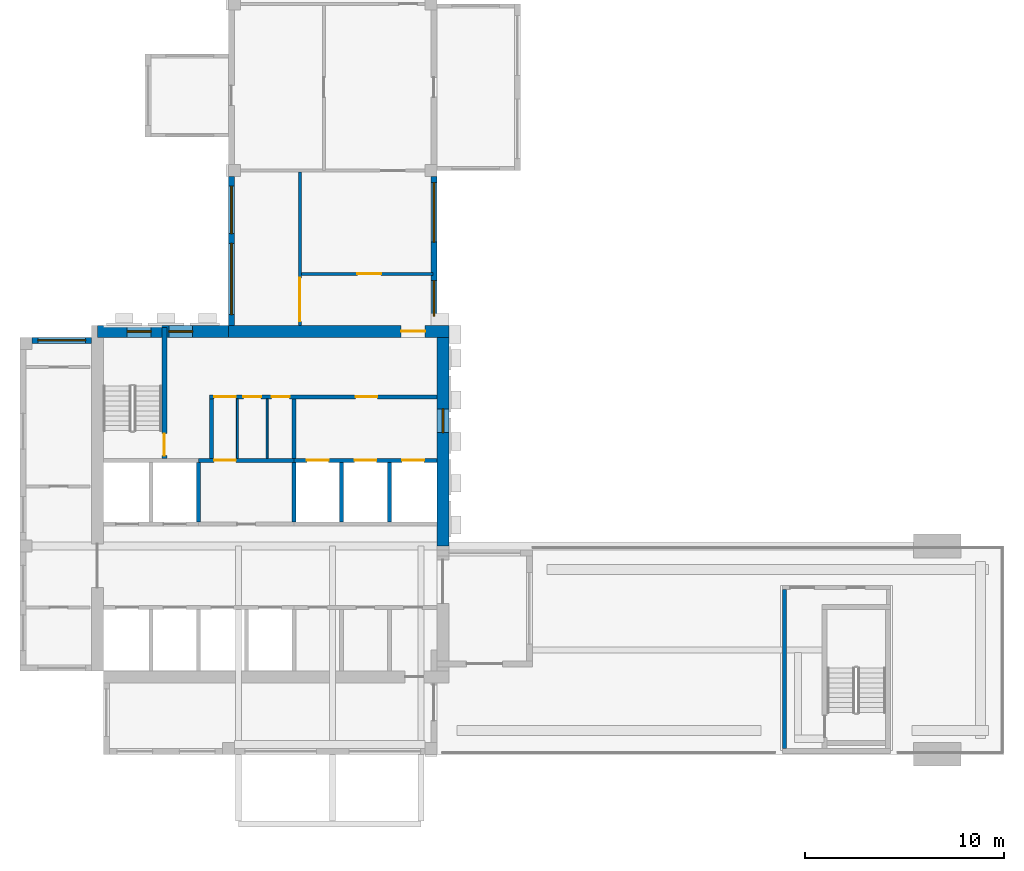
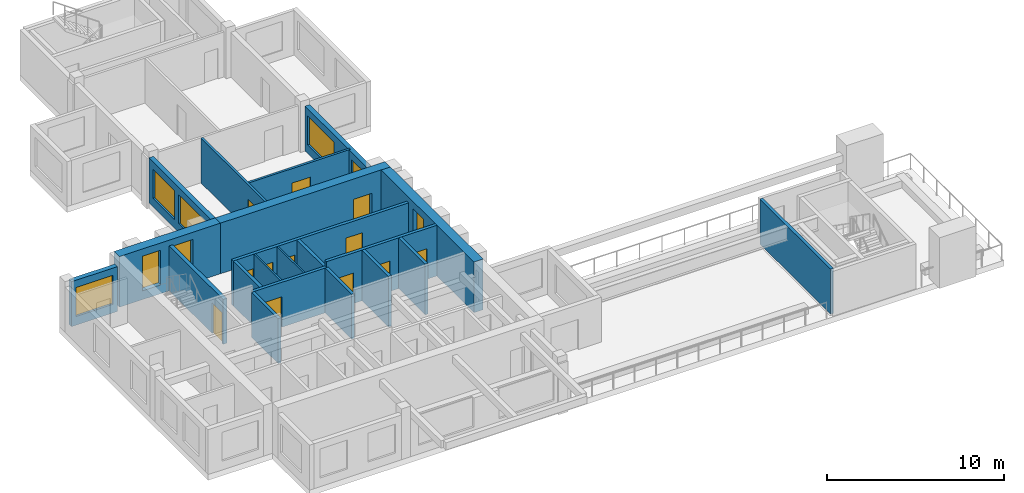
# One storey, part 3 of 9: 21 walls, 12 doors, 8 windows, 20 openings.
"""IFC4 building model written with IfcOpenShell, lengths in metres."""

from ifc_helpers import new_model, si_unit, direction, frame, frame_2d, origin, place, context, subcontext, project, spatial, rectangle, extrude, source, transform, mapped, material, layer, layer_set, type_object, element, fill, save


model = new_model("IFC4")

# Units and contexts
model_context = context("Model", 3, precision=1e-05, world=origin(), true_north=direction((0.0, 1.0)))
body_context = subcontext(model_context, "Body", "Model", "MODEL_VIEW")
ifc_project = project(units=[si_unit("LENGTHUNIT", "METRE"), si_unit("AREAUNIT", "SQUARE_METRE"), si_unit("VOLUMEUNIT", "CUBIC_METRE"), si_unit("PLANEANGLEUNIT", "RADIAN"), si_unit("MASSUNIT", "GRAM", prefix="KILO")], contexts=[model_context])

# Site, building, storey
site_placement = place(None, origin())
site = spatial("IfcSite", under=ifc_project, at=site_placement, CompositionType="ELEMENT")
building_placement = place(site_placement, origin())
building = spatial("IfcBuilding", under=site, at=building_placement, Name="Aurelian Terraces", CompositionType="ELEMENT")
storey_placement = place(building_placement, frame((0.0, 0.0, 330.0)))
storey = spatial("IfcBuildingStorey", under=building, at=storey_placement, Name="L77", CompositionType="ELEMENT", Elevation=330.0)

# Wall, opening, door
ifc_material_1 = material(Name="Gypsum board on steel studs", Category="steel")
ifc_layer_1 = layer(ifc_material_1, 0.15)
ifc_layer_set_1 = layer_set([ifc_layer_1], Name="Partition 150")
wall_type_1 = type_object("IfcWallType", Name="Partition 150", PredefinedType="PARTITIONING", material=ifc_layer_set_1)
wall_1_placement = place(storey_placement, frame((14.175, 24.2, 0.0), z_axis=(0.0, 0.0, 1.0), x_axis=(1.0, 0.0, 0.0)))
wall_1 = element("IfcWall", 1, at=wall_1_placement, inside=storey, type_object=wall_type_1, Name="Partition", PredefinedType="PARTITIONING", context=body_context, shape_type="SweptSolid", body=[
    extrude(rectangle(XDim=6.62, YDim=0.15, at=frame_2d((3.31, 0.0))), origin(), (0.0, 0.0, 1.0), 3.1),
])
shared_shape_1 = source(origin(), body_context, "Body", "SweptSolid", [
    extrude(rectangle(XDim=1.2, YDim=2.1, at=frame_2d((0.6, 1.05))), frame((0.0, 0.085, 0.0), z_axis=(0.0, -1.0, 0.0), x_axis=(1.0, 0.0, 0.0)), (0.0, 0.0, 1.0), 0.17),
])
opening_1_placement = place(wall_1_placement, frame((2.8125, 0.0, 0.0)))
opening_1 = element("IfcOpeningElement", 2, at=opening_1_placement, cuts=wall_1, Name="Opening 777007", PredefinedType="OPENING", context=body_context, shape_type="MappedRepresentation", body=[
    mapped(shared_shape_1, transform((0.0, 0.0, 0.0), scale=1.0)),
])
ifc_material_2 = material(Name="Timber door leaf", Category="wood")
door_type_1 = type_object("IfcDoorType", Name="Room door 1200x2100 right", OperationType="SINGLE_SWING_RIGHT", PredefinedType="DOOR", material=ifc_material_2)
shared_shape_2 = source(origin(), body_context, "Body", "SweptSolid", [
    extrude(rectangle(XDim=1.2, YDim=2.1, at=frame_2d((0.6, 1.05))), frame((0.0, 0.025, 0.0), z_axis=(0.0, -1.0, 0.0), x_axis=(1.0, 0.0, 0.0)), (0.0, 0.0, 1.0), 0.05),
])
door_1_placement = place(opening_1_placement, origin())
door_1 = element("IfcDoor", 3, at=door_1_placement, inside=storey, type_object=door_type_1, Name="Door 777007", OperationType="SINGLE_SWING_RIGHT", OverallHeight=2.1, OverallWidth=1.2, PredefinedType="DOOR", context=body_context, shape_type="MappedRepresentation", body=[
    mapped(shared_shape_2, transform((0.0, 0.0, 0.0), scale=1.0)),
])
fill(opening_1, door_1)

ifc_material_3 = material(Name="Concrete fc' 55 MPa", Category="concrete")
ifc_layer_2 = layer(ifc_material_3, 0.6)
ifc_layer_set_2 = layer_set([ifc_layer_2], Name="CORE WALL 600 FC55")
wall_type_2 = type_object("IfcWallType", Name="CORE WALL 600 FC55", PredefinedType="SHEAR", material=ifc_layer_set_2)
shared_shape_3 = source(origin(), body_context, "Body", "SweptSolid", [
    extrude(rectangle(XDim=11.1, YDim=0.6, at=frame_2d((5.55, 0.0))), origin(), (0.0, 0.0, 1.0), 3.5),
])
wall_2_placement = place(storey_placement, frame((10.5, 21.3, 0.0), z_axis=(0.0, 0.0, 1.0), x_axis=(1.0, 0.0, 0.0)))
wall_2 = element("IfcWall", 4, at=wall_2_placement, inside=storey, type_object=wall_type_2, Name="Core wall N L77", PredefinedType="SHEAR", context=body_context, shape_type="MappedRepresentation", body=[
    mapped(shared_shape_3, transform((0.0, 0.0, 0.0), scale=1.0)),
])
shared_shape_4 = source(origin(), body_context, "Body", "SweptSolid", [
    extrude(rectangle(XDim=1.2, YDim=2.1, at=frame_2d((0.6, 1.05))), frame((0.0, 0.31, 0.0), z_axis=(0.0, -1.0, 0.0), x_axis=(1.0, 0.0, 0.0)), (0.0, 0.0, 1.0), 0.62),
])
opening_2_placement = place(wall_2_placement, frame((8.7, 0.0, 0.0)))
opening_2 = element("IfcOpeningElement", 5, at=opening_2_placement, cuts=wall_2, Name="Opening 68027", PredefinedType="OPENING", context=body_context, shape_type="MappedRepresentation", body=[
    mapped(shared_shape_4, transform((0.0, 0.0, 0.0), scale=1.0)),
])
ifc_material_4 = material(Name="Steel door leaf", Category="steel")
door_type_2 = type_object("IfcDoorType", Name="Core fire door 1200x2100", OperationType="SINGLE_SWING_LEFT", PredefinedType="DOOR", material=ifc_material_4)
door_2_placement = place(opening_2_placement, origin())
door_2 = element("IfcDoor", 6, at=door_2_placement, inside=storey, type_object=door_type_2, Name="Core door 68027", OperationType="SINGLE_SWING_LEFT", OverallHeight=2.1, OverallWidth=1.2, PredefinedType="DOOR", context=body_context, shape_type="MappedRepresentation", body=[
    mapped(shared_shape_2, transform((0.0, 0.0, 0.0), scale=1.0)),
])
fill(opening_2, door_2)

# Wall, opening, window
shared_shape_5 = source(origin(), body_context, "Body", "SweptSolid", [
    extrude(rectangle(XDim=10.5, YDim=0.6, at=frame_2d((5.25, 0.0))), origin(), (0.0, 0.0, 1.0), 3.5),
])
wall_3_placement = place(storey_placement, frame((21.3, 10.5, 0.0), z_axis=(0.0, 0.0, 1.0), x_axis=(0.0, 1.0, 0.0)))
wall_3 = element("IfcWall", 7, at=wall_3_placement, inside=storey, type_object=wall_type_2, Name="Core wall E L77 exposed", PredefinedType="SHEAR", context=body_context, shape_type="MappedRepresentation", body=[
    mapped(shared_shape_5, transform((0.0, 0.0, 0.0), scale=1.0)),
])
shared_shape_6 = source(origin(), body_context, "Body", "SweptSolid", [
    extrude(rectangle(XDim=1.2, YDim=2.4, at=frame_2d((0.6, 1.2))), frame((0.0, 0.31, 0.0), z_axis=(0.0, -1.0, 0.0), x_axis=(1.0, 0.0, 0.0)), (0.0, 0.0, 1.0), 0.62),
])
opening_3_placement = place(wall_3_placement, frame((5.7, 0.0, 0.6)))
opening_3 = element("IfcOpeningElement", 8, at=opening_3_placement, cuts=wall_3, Name="Opening W-CL", PredefinedType="OPENING", context=body_context, shape_type="MappedRepresentation", body=[
    mapped(shared_shape_6, transform((0.0, 0.0, 0.0), scale=1.0)),
])
ifc_material_5 = material(Name="Fire-resisting glazing", Category="glass")
window_type_1 = type_object("IfcWindowType", Name="Core lobby window 1200x2400", PartitioningType="SINGLE_PANEL", PredefinedType="WINDOW", material=ifc_material_5)
shared_shape_7 = source(origin(), body_context, "Body", "SweptSolid", [
    extrude(rectangle(XDim=1.2, YDim=2.4, at=frame_2d((0.6, 1.2))), frame((0.0, 0.03, 0.0), z_axis=(0.0, -1.0, 0.0), x_axis=(1.0, 0.0, 0.0)), (0.0, 0.0, 1.0), 0.06),
])
window_1_placement = place(opening_3_placement, origin())
window_1 = element("IfcWindow", 9, at=window_1_placement, inside=storey, type_object=window_type_1, Name="Lobby window L77 E40", OverallHeight=2.4, OverallWidth=1.2, PartitioningType="SINGLE_PANEL", PredefinedType="WINDOW", context=body_context, shape_type="MappedRepresentation", body=[
    mapped(shared_shape_7, transform((0.0, 0.0, 0.0), scale=1.0)),
])
fill(opening_3, window_1)

# Wall, openings, windows
shared_shape_8 = source(origin(), body_context, "Body", "SweptSolid", [
    extrude(rectangle(XDim=6.6, YDim=0.6, at=frame_2d((3.3, 0.0))), origin(), (0.0, 0.0, 1.0), 3.5),
])
wall_4_placement = place(storey_placement, frame((3.9, 21.3, 0.0), z_axis=(0.0, 0.0, 1.0), x_axis=(1.0, 0.0, 0.0)))
wall_4 = element("IfcWall", 10, at=wall_4_placement, inside=storey, type_object=wall_type_2, Name="Core wall N L77 exposed", PredefinedType="SHEAR", context=body_context, shape_type="MappedRepresentation", body=[
    mapped(shared_shape_8, transform((0.0, 0.0, 0.0), scale=1.0)),
])
opening_4_placement = place(wall_4_placement, frame((1.5, 0.0, 0.6)))
opening_4 = element("IfcOpeningElement", 11, at=opening_4_placement, cuts=wall_4, Name="Opening W-CL", PredefinedType="OPENING", context=body_context, shape_type="MappedRepresentation", body=[
    mapped(shared_shape_6, transform((0.0, 0.0, 0.0), scale=1.0)),
])
opening_5_placement = place(wall_4_placement, frame((3.6, 0.0, 0.6)))
opening_5 = element("IfcOpeningElement", 12, at=opening_5_placement, cuts=wall_4, Name="Opening W-CL", PredefinedType="OPENING", context=body_context, shape_type="MappedRepresentation", body=[
    mapped(shared_shape_6, transform((0.0, 0.0, 0.0), scale=1.0)),
])
window_2_placement = place(opening_4_placement, origin())
window_2 = element("IfcWindow", 13, at=window_2_placement, inside=storey, type_object=window_type_1, Name="Lobby window L77 N41", OverallHeight=2.4, OverallWidth=1.2, PartitioningType="SINGLE_PANEL", PredefinedType="WINDOW", context=body_context, shape_type="MappedRepresentation", body=[
    mapped(shared_shape_7, transform((0.0, 0.0, 0.0), scale=1.0)),
])
fill(opening_4, window_2)
window_3_placement = place(opening_5_placement, origin())
window_3 = element("IfcWindow", 14, at=window_3_placement, inside=storey, type_object=window_type_1, Name="Lobby window L77 N42", OverallHeight=2.4, OverallWidth=1.2, PartitioningType="SINGLE_PANEL", PredefinedType="WINDOW", context=body_context, shape_type="MappedRepresentation", body=[
    mapped(shared_shape_7, transform((0.0, 0.0, 0.0), scale=1.0)),
])
fill(opening_5, window_3)

ifc_material_6 = material(Name="Terracotta rainscreen cladding", Category="masonry")
ifc_layer_3 = layer(ifc_material_6, 0.3)
ifc_layer_set_3 = layer_set([ifc_layer_3], Name="EW-300")
wall_type_3 = type_object("IfcWallType", Name="EW-300", PredefinedType="STANDARD", material=ifc_layer_set_3)
shared_shape_9 = source(origin(), body_context, "Body", "SweptSolid", [
    extrude(rectangle(XDim=7.5, YDim=0.3, at=frame_2d((3.75, 0.0))), origin(), (0.0, 0.0, 1.0), 3.1),
])
wall_5_placement = place(storey_placement, frame((20.85, 21.6, 0.0), z_axis=(0.0, 0.0, 1.0), x_axis=(0.0, 1.0, 0.0)))
wall_5 = element("IfcWall", 15, at=wall_5_placement, inside=storey, type_object=wall_type_3, Name="External wall L77 F02.6", PredefinedType="STANDARD", context=body_context, shape_type="MappedRepresentation", body=[
    mapped(shared_shape_9, transform((0.0, 0.0, 0.0), scale=1.0)),
])
shared_shape_10 = source(origin(), body_context, "Body", "SweptSolid", [
    extrude(rectangle(XDim=1.8, YDim=2.0, at=frame_2d((0.9, 1.0))), frame((0.0, 0.16, 0.0), z_axis=(0.0, -1.0, 0.0), x_axis=(1.0, 0.0, 0.0)), (0.0, 0.0, 1.0), 0.32),
])
opening_6_placement = place(wall_5_placement, frame((0.4625, 0.0, 0.6)))
opening_6 = element("IfcOpeningElement", 16, at=opening_6_placement, cuts=wall_5, Name="Opening W1820", PredefinedType="OPENING", context=body_context, shape_type="MappedRepresentation", body=[
    mapped(shared_shape_10, transform((0.0, 0.0, 0.0), scale=1.0)),
])
shared_shape_11 = source(origin(), body_context, "Body", "SweptSolid", [
    extrude(rectangle(XDim=3.0, YDim=2.0, at=frame_2d((1.5, 1.0))), frame((0.0, 0.16, 0.0), z_axis=(0.0, -1.0, 0.0), x_axis=(1.0, 0.0, 0.0)), (0.0, 0.0, 1.0), 0.32),
])
opening_7_placement = place(wall_5_placement, frame((4.2, 0.0, 0.6)))
opening_7 = element("IfcOpeningElement", 17, at=opening_7_placement, cuts=wall_5, Name="Opening W3020", PredefinedType="OPENING", context=body_context, shape_type="MappedRepresentation", body=[
    mapped(shared_shape_11, transform((0.0, 0.0, 0.0), scale=1.0)),
])
ifc_material_7 = material(Name="Clear glazing", Category="glass")
window_type_2 = type_object("IfcWindowType", Name="W-3000x2000", PartitioningType="SINGLE_PANEL", PredefinedType="WINDOW", material=ifc_material_7)
shared_shape_12 = source(origin(), body_context, "Body", "SweptSolid", [
    extrude(rectangle(XDim=3.0, YDim=2.0, at=frame_2d((1.5, 1.0))), frame((0.0, 0.03, 0.0), z_axis=(0.0, -1.0, 0.0), x_axis=(1.0, 0.0, 0.0)), (0.0, 0.0, 1.0), 0.06),
])
window_4_placement = place(opening_7_placement, origin())
window_4 = element("IfcWindow", 18, at=window_4_placement, inside=storey, type_object=window_type_2, Name="Window L77 L77-F02-06-1", OverallHeight=2.0, OverallWidth=3.0, PartitioningType="SINGLE_PANEL", PredefinedType="WINDOW", context=body_context, shape_type="MappedRepresentation", body=[
    mapped(shared_shape_12, transform((0.0, 0.0, 0.0), scale=1.0)),
])
fill(opening_7, window_4)
window_type_3 = type_object("IfcWindowType", Name="W-1800x2000", PartitioningType="SINGLE_PANEL", PredefinedType="WINDOW", material=ifc_material_7)
shared_shape_13 = source(origin(), body_context, "Body", "SweptSolid", [
    extrude(rectangle(XDim=1.8, YDim=2.0, at=frame_2d((0.9, 1.0))), frame((0.0, 0.03, 0.0), z_axis=(0.0, -1.0, 0.0), x_axis=(1.0, 0.0, 0.0)), (0.0, 0.0, 1.0), 0.06),
])
window_5_placement = place(opening_6_placement, origin())
window_5 = element("IfcWindow", 19, at=window_5_placement, inside=storey, type_object=window_type_3, Name="Window L77 L77-F02-06-0", OverallHeight=2.0, OverallWidth=1.8, PartitioningType="SINGLE_PANEL", PredefinedType="WINDOW", context=body_context, shape_type="MappedRepresentation", body=[
    mapped(shared_shape_13, transform((0.0, 0.0, 0.0), scale=1.0)),
])
fill(opening_6, window_5)

wall_6_placement = place(storey_placement, frame((10.65, 29.1, 0.0), z_axis=(0.0, 0.0, 1.0), x_axis=(0.0, -1.0, 0.0)))
wall_6 = element("IfcWall", 20, at=wall_6_placement, inside=storey, type_object=wall_type_3, Name="External wall L77 F04.10", PredefinedType="STANDARD", context=body_context, shape_type="MappedRepresentation", body=[
    mapped(shared_shape_9, transform((0.0, 0.0, 0.0), scale=1.0)),
])
shared_shape_14 = source(origin(), body_context, "Body", "SweptSolid", [
    extrude(rectangle(XDim=3.6, YDim=2.0, at=frame_2d((1.8, 1.0))), frame((0.0, 0.16, 0.0), z_axis=(0.0, -1.0, 0.0), x_axis=(1.0, 0.0, 0.0)), (0.0, 0.0, 1.0), 0.32),
])
opening_8_placement = place(wall_6_placement, frame((3.36, 0.0, 0.6)))
opening_8 = element("IfcOpeningElement", 21, at=opening_8_placement, cuts=wall_6, Name="Opening W3620", PredefinedType="OPENING", context=body_context, shape_type="MappedRepresentation", body=[
    mapped(shared_shape_14, transform((0.0, 0.0, 0.0), scale=1.0)),
])
shared_shape_15 = source(origin(), body_context, "Body", "SweptSolid", [
    extrude(rectangle(XDim=2.4, YDim=2.0, at=frame_2d((1.2, 1.0))), frame((0.0, 0.16, 0.0), z_axis=(0.0, -1.0, 0.0), x_axis=(1.0, 0.0, 0.0)), (0.0, 0.0, 1.0), 0.32),
])
opening_9_placement = place(wall_6_placement, frame((0.48, 0.0, 0.6)))
opening_9 = element("IfcOpeningElement", 22, at=opening_9_placement, cuts=wall_6, Name="Opening W2420", PredefinedType="OPENING", context=body_context, shape_type="MappedRepresentation", body=[
    mapped(shared_shape_15, transform((0.0, 0.0, 0.0), scale=1.0)),
])
window_type_4 = type_object("IfcWindowType", Name="W-2400x2000", PartitioningType="SINGLE_PANEL", PredefinedType="WINDOW", material=ifc_material_7)
shared_shape_16 = source(origin(), body_context, "Body", "SweptSolid", [
    extrude(rectangle(XDim=2.4, YDim=2.0, at=frame_2d((1.2, 1.0))), frame((0.0, 0.03, 0.0), z_axis=(0.0, -1.0, 0.0), x_axis=(1.0, 0.0, 0.0)), (0.0, 0.0, 1.0), 0.06),
])
window_6_placement = place(opening_9_placement, origin())
window_6 = element("IfcWindow", 23, at=window_6_placement, inside=storey, type_object=window_type_4, Name="Window L77 L77-F04-10-G2-146", OverallHeight=2.0, OverallWidth=2.4, PartitioningType="SINGLE_PANEL", PredefinedType="WINDOW", context=body_context, shape_type="MappedRepresentation", body=[
    mapped(shared_shape_16, transform((0.0, 0.0, 0.0), scale=1.0)),
])
fill(opening_9, window_6)
window_type_5 = type_object("IfcWindowType", Name="W-3600x2000", PartitioningType="SINGLE_PANEL", PredefinedType="WINDOW", material=ifc_material_7)
shared_shape_17 = source(origin(), body_context, "Body", "SweptSolid", [
    extrude(rectangle(XDim=3.6, YDim=2.0, at=frame_2d((1.8, 1.0))), frame((0.0, 0.03, 0.0), z_axis=(0.0, -1.0, 0.0), x_axis=(1.0, 0.0, 0.0)), (0.0, 0.0, 1.0), 0.06),
])
window_7_placement = place(opening_8_placement, origin())
window_7 = element("IfcWindow", 24, at=window_7_placement, inside=storey, type_object=window_type_5, Name="Window L77 L77-F04-10-4", OverallHeight=2.0, OverallWidth=3.6, PartitioningType="SINGLE_PANEL", PredefinedType="WINDOW", context=body_context, shape_type="MappedRepresentation", body=[
    mapped(shared_shape_17, transform((0.0, 0.0, 0.0), scale=1.0)),
])
fill(opening_8, window_7)

# Wall, opening, window
shared_shape_18 = source(origin(), body_context, "Body", "SweptSolid", [
    extrude(rectangle(XDim=3.0, YDim=0.3, at=frame_2d((1.5, 0.0))), origin(), (0.0, 0.0, 1.0), 3.1),
])
wall_7_placement = place(storey_placement, frame((3.6, 20.85, 0.0), z_axis=(0.0, 0.0, 1.0), x_axis=(-1.0, 0.0, 0.0)))
wall_7 = element("IfcWall", 25, at=wall_7_placement, inside=storey, type_object=wall_type_3, Name="External wall L77 F09.15", PredefinedType="STANDARD", context=body_context, shape_type="MappedRepresentation", body=[
    mapped(shared_shape_18, transform((0.0, 0.0, 0.0), scale=1.0)),
])
opening_10_placement = place(wall_7_placement, frame((0.3, 0.0, 0.6)))
opening_10 = element("IfcOpeningElement", 26, at=opening_10_placement, cuts=wall_7, Name="Opening W2420", PredefinedType="OPENING", context=body_context, shape_type="MappedRepresentation", body=[
    mapped(shared_shape_15, transform((0.0, 0.0, 0.0), scale=1.0)),
])
window_8_placement = place(opening_10_placement, origin())
window_8 = element("IfcWindow", 27, at=window_8_placement, inside=storey, type_object=window_type_4, Name="Window L77 L77-F09-15-0", OverallHeight=2.0, OverallWidth=2.4, PartitioningType="SINGLE_PANEL", PredefinedType="WINDOW", context=body_context, shape_type="MappedRepresentation", body=[
    mapped(shared_shape_16, transform((0.0, 0.0, 0.0), scale=1.0)),
])
fill(opening_10, window_8)

# Walls
ifc_material_8 = material(Name="Concrete fc' 40 MPa", Category="concrete")
ifc_layer_4 = layer(ifc_material_8, 0.2)
ifc_layer_set_4 = layer_set([ifc_layer_4], Name="Lift shaft wall 200")
wall_type_4 = type_object("IfcWallType", Name="Lift shaft wall 200", PredefinedType="SOLIDWALL", material=ifc_layer_set_4)
shared_shape_19 = source(origin(), body_context, "Body", "SweptSolid", [
    extrude(rectangle(XDim=3.0, YDim=0.2, at=frame_2d((1.5, 0.0))), origin(), (0.0, 0.0, 1.0), 3.1),
])
for number, where, z_axis, x_axis, name in (
    (28, (9.0, 11.7, 0.0), (0.0, 0.0, 1.0), (0.0, 1.0, 0.0), "L77 core wall CD-B2"),
    (29, (13.8, 11.7, 0.0), (0.0, 0.0, 1.0), (0.0, 1.0, 0.0), "L77 core wall CD-B4"),
):
    element("IfcWall", number, at=place(storey_placement, frame(where, z_axis=z_axis, x_axis=x_axis)), inside=storey, type_object=wall_type_4, Name=name, PredefinedType="SOLIDWALL", context=body_context, shape_type="MappedRepresentation", body=[
        mapped(shared_shape_19, transform((0.0, 0.0, 0.0), scale=1.0)),
    ])
shared_shape_20 = source(origin(), body_context, "Body", "SweptSolid", [
    extrude(rectangle(XDim=3.0, YDim=0.2, at=frame_2d((1.5, 0.0))), origin(), (0.0, 0.0, 1.0), 3.5),
])
for number, where, z_axis, x_axis, name in (
    (30, (16.2, 11.7, 0.0), (0.0, 0.0, 1.0), (0.0, 1.0, 0.0), "L77 core wall CD-B5"),
    (31, (18.6, 11.7, 0.0), (0.0, 0.0, 1.0), (0.0, 1.0, 0.0), "L77 core wall CD-B6"),
):
    element("IfcWall", number, at=place(storey_placement, frame(where, z_axis=z_axis, x_axis=x_axis)), inside=storey, type_object=wall_type_4, Name=name, PredefinedType="SOLIDWALL", context=body_context, shape_type="MappedRepresentation", body=[
        mapped(shared_shape_20, transform((0.0, 0.0, 0.0), scale=1.0)),
    ])

# Wall, opening, door
shared_shape_21 = source(origin(), body_context, "Body", "SweptSolid", [
    extrude(rectangle(XDim=4.8, YDim=0.2, at=frame_2d((2.4, 0.0))), origin(), (0.0, 0.0, 1.0), 3.1),
])
wall_8_placement = place(storey_placement, frame((9.0, 14.8, 0.0), z_axis=(0.0, 0.0, 1.0), x_axis=(1.0, 0.0, 0.0)))
wall_8 = element("IfcWall", 32, at=wall_8_placement, inside=storey, type_object=wall_type_4, Name="L77 core wall CF-BB2", PredefinedType="SOLIDWALL", context=body_context, shape_type="MappedRepresentation", body=[
    mapped(shared_shape_21, transform((0.0, 0.0, 0.0), scale=1.0)),
])
shared_shape_22 = source(origin(), body_context, "Body", "SweptSolid", [
    extrude(rectangle(XDim=1.1, YDim=2.1, at=frame_2d((0.55, 1.05))), frame((0.0, 0.11, 0.0), z_axis=(0.0, -1.0, 0.0), x_axis=(1.0, 0.0, 0.0)), (0.0, 0.0, 1.0), 0.22),
])
opening_11_placement = place(wall_8_placement, frame((0.775, 0.0, 0.0)))
opening_11 = element("IfcOpeningElement", 33, at=opening_11_placement, cuts=wall_8, Name="Opening 68010", PredefinedType="OPENING", context=body_context, shape_type="MappedRepresentation", body=[
    mapped(shared_shape_22, transform((0.0, 0.0, 0.0), scale=1.0)),
])
door_type_3 = type_object("IfcDoorType", Name="Core fire door 1100x2100", OperationType="SINGLE_SWING_LEFT", PredefinedType="DOOR", material=ifc_material_4)
shared_shape_23 = source(origin(), body_context, "Body", "SweptSolid", [
    extrude(rectangle(XDim=1.1, YDim=2.1, at=frame_2d((0.55, 1.05))), frame((0.0, 0.025, 0.0), z_axis=(0.0, -1.0, 0.0), x_axis=(1.0, 0.0, 0.0)), (0.0, 0.0, 1.0), 0.05),
])
door_3_placement = place(opening_11_placement, origin())
door_3 = element("IfcDoor", 34, at=door_3_placement, inside=storey, type_object=door_type_3, Name="Room door 68010", OperationType="SINGLE_SWING_LEFT", OverallHeight=2.1, OverallWidth=1.1, PredefinedType="DOOR", context=body_context, shape_type="MappedRepresentation", body=[
    mapped(shared_shape_23, transform((0.0, 0.0, 0.0), scale=1.0)),
])
fill(opening_11, door_3)

# Wall, openings, doors
shared_shape_24 = source(origin(), body_context, "Body", "SweptSolid", [
    extrude(rectangle(XDim=7.2, YDim=0.2, at=frame_2d((3.6, 0.0))), origin(), (0.0, 0.0, 1.0), 3.5),
])
wall_9_placement = place(storey_placement, frame((13.8, 14.8, 0.0), z_axis=(0.0, 0.0, 1.0), x_axis=(1.0, 0.0, 0.0)))
wall_9 = element("IfcWall", 35, at=wall_9_placement, inside=storey, type_object=wall_type_4, Name="L77 core wall CF-BB3", PredefinedType="SOLIDWALL", context=body_context, shape_type="MappedRepresentation", body=[
    mapped(shared_shape_24, transform((0.0, 0.0, 0.0), scale=1.0)),
])
opening_12_placement = place(wall_9_placement, frame((0.65, 0.0, 0.0)))
opening_12 = element("IfcOpeningElement", 36, at=opening_12_placement, cuts=wall_9, Name="Opening 68011", PredefinedType="OPENING", context=body_context, shape_type="MappedRepresentation", body=[
    mapped(shared_shape_22, transform((0.0, 0.0, 0.0), scale=1.0)),
])
opening_13_placement = place(wall_9_placement, frame((3.05, 0.0, 0.0)))
opening_13 = element("IfcOpeningElement", 37, at=opening_13_placement, cuts=wall_9, Name="Opening 68012", PredefinedType="OPENING", context=body_context, shape_type="MappedRepresentation", body=[
    mapped(shared_shape_22, transform((0.0, 0.0, 0.0), scale=1.0)),
])
opening_14_placement = place(wall_9_placement, frame((5.45, 0.0, 0.0)))
opening_14 = element("IfcOpeningElement", 38, at=opening_14_placement, cuts=wall_9, Name="Opening 68013", PredefinedType="OPENING", context=body_context, shape_type="MappedRepresentation", body=[
    mapped(shared_shape_22, transform((0.0, 0.0, 0.0), scale=1.0)),
])
ifc_material_9 = material(Name="Stainless steel", Category="steel")
door_type_4 = type_object("IfcDoorType", Name="Lift landing door 1100x2100", OperationType="SLIDING_TO_LEFT", PredefinedType="DOOR", material=ifc_material_9)
door_4_placement = place(opening_12_placement, origin())
door_4 = element("IfcDoor", 39, at=door_4_placement, inside=storey, type_object=door_type_4, Name="Lift landing door F1 L77", OperationType="SLIDING_TO_LEFT", OverallHeight=2.1, OverallWidth=1.1, PredefinedType="DOOR", context=body_context, shape_type="MappedRepresentation", body=[
    mapped(shared_shape_23, transform((0.0, 0.0, 0.0), scale=1.0)),
])
fill(opening_12, door_4)
door_5_placement = place(opening_13_placement, origin())
door_5 = element("IfcDoor", 40, at=door_5_placement, inside=storey, type_object=door_type_4, Name="Lift landing door F2 L77", OperationType="SLIDING_TO_LEFT", OverallHeight=2.1, OverallWidth=1.1, PredefinedType="DOOR", context=body_context, shape_type="MappedRepresentation", body=[
    mapped(shared_shape_23, transform((0.0, 0.0, 0.0), scale=1.0)),
])
fill(opening_13, door_5)
door_6_placement = place(opening_14_placement, origin())
door_6 = element("IfcDoor", 41, at=door_6_placement, inside=storey, type_object=door_type_4, Name="Lift landing door F3 L77", OperationType="SLIDING_TO_LEFT", OverallHeight=2.1, OverallWidth=1.1, PredefinedType="DOOR", context=body_context, shape_type="MappedRepresentation", body=[
    mapped(shared_shape_23, transform((0.0, 0.0, 0.0), scale=1.0)),
])
fill(opening_14, door_6)

# Walls
ifc_layer_5 = layer(ifc_material_1, 0.2)
ifc_layer_set_5 = layer_set([ifc_layer_5], Name="Core partition 200")
wall_type_5 = type_object("IfcWallType", Name="Core partition 200", PredefinedType="PARTITIONING", material=ifc_layer_set_5)
shared_shape_25 = source(origin(), body_context, "Body", "SweptSolid", [
    extrude(rectangle(XDim=3.0, YDim=0.2, at=frame_2d((1.5, 0.0))), origin(), (0.0, 0.0, 1.0), 3.1),
])
for number, where, z_axis, x_axis, name in (
    (42, (9.65, 14.9, 0.0), (0.0, 0.0, 1.0), (0.0, 1.0, 0.0), "L77 core wall CP-VEST"),
    (43, (13.8, 14.9, 0.0), (0.0, 0.0, 1.0), (0.0, 1.0, 0.0), "L77 core wall CP-FFL"),
):
    element("IfcWall", number, at=place(storey_placement, frame(where, z_axis=z_axis, x_axis=x_axis)), inside=storey, type_object=wall_type_5, Name=name, PredefinedType="PARTITIONING", context=body_context, shape_type="MappedRepresentation", body=[
        mapped(shared_shape_25, transform((0.0, 0.0, 0.0), scale=1.0)),
    ])
shared_shape_26 = source(origin(), body_context, "Body", "SweptSolid", [
    extrude(rectangle(XDim=8.0, YDim=0.2, at=frame_2d((4.0, 0.0))), origin(), (0.0, 0.0, 1.0), 3.1),
])
wall_10_placement = place(storey_placement, frame((38.5, 0.3, 0.0), z_axis=(0.0, 0.0, 1.0), x_axis=(0.0, 1.0, 0.0)))
element("IfcWall", 44, at=wall_10_placement, inside=storey, type_object=wall_type_5, Name="L77 core wall ST-S2-VW", PredefinedType="PARTITIONING", context=body_context, shape_type="MappedRepresentation", body=[
    mapped(shared_shape_26, transform((0.0, 0.0, 0.0), scale=1.0)),
])

# Wall, opening, door
ifc_layer_6 = layer(ifc_material_8, 0.25)
ifc_layer_set_6 = layer_set([ifc_layer_6], Name="Stair enclosure wall 250")
wall_type_6 = type_object("IfcWallType", Name="Stair enclosure wall 250", PredefinedType="SOLIDWALL", material=ifc_layer_set_6)
shared_shape_27 = source(origin(), body_context, "Body", "SweptSolid", [
    extrude(rectangle(XDim=6.6, YDim=0.25, at=frame_2d((3.3, 0.0))), origin(), (0.0, 0.0, 1.0), 3.1),
])
wall_11_placement = place(storey_placement, frame((7.275, 14.9, 0.0), z_axis=(0.0, 0.0, 1.0), x_axis=(0.0, 1.0, 0.0)))
wall_11 = element("IfcWall", 45, at=wall_11_placement, inside=storey, type_object=wall_type_6, Name="L77 core wall ST-S1-E", PredefinedType="SOLIDWALL", context=body_context, shape_type="MappedRepresentation", body=[
    mapped(shared_shape_27, transform((0.0, 0.0, 0.0), scale=1.0)),
])
shared_shape_28 = source(origin(), body_context, "Body", "SweptSolid", [
    extrude(rectangle(XDim=1.1, YDim=2.1, at=frame_2d((0.55, 1.05))), frame((0.0, 0.135, 0.0), z_axis=(0.0, -1.0, 0.0), x_axis=(1.0, 0.0, 0.0)), (0.0, 0.0, 1.0), 0.27),
])
opening_15_placement = place(wall_11_placement, frame((0.15, 0.0, 0.0)))
opening_15 = element("IfcOpeningElement", 46, at=opening_15_placement, cuts=wall_11, Name="Opening 68014", PredefinedType="OPENING", context=body_context, shape_type="MappedRepresentation", body=[
    mapped(shared_shape_28, transform((0.0, 0.0, 0.0), scale=1.0)),
])
door_7_placement = place(opening_15_placement, origin())
door_7 = element("IfcDoor", 47, at=door_7_placement, inside=storey, type_object=door_type_3, Name="Stair door 68014", OperationType="SINGLE_SWING_LEFT", OverallHeight=2.1, OverallWidth=1.1, PredefinedType="DOOR", context=body_context, shape_type="MappedRepresentation", body=[
    mapped(shared_shape_23, transform((0.0, 0.0, 0.0), scale=1.0)),
])
fill(opening_15, door_7)

# Wall, openings, doors
shared_shape_29 = source(origin(), body_context, "Body", "SweptSolid", [
    extrude(rectangle(XDim=11.45, YDim=0.2, at=frame_2d((5.725, 0.0))), origin(), (0.0, 0.0, 1.0), 3.1),
])
wall_12_placement = place(storey_placement, frame((9.55, 18.0, 0.0), z_axis=(0.0, 0.0, 1.0), x_axis=(1.0, 0.0, 0.0)))
wall_12 = element("IfcWall", 48, at=wall_12_placement, inside=storey, type_object=wall_type_5, Name="L77 core wall CP-NORTH", PredefinedType="PARTITIONING", context=body_context, shape_type="MappedRepresentation", body=[
    mapped(shared_shape_29, transform((0.0, 0.0, 0.0), scale=1.0)),
])
opening_16_placement = place(wall_12_placement, frame((0.225, 0.0, 0.0)))
opening_16 = element("IfcOpeningElement", 49, at=opening_16_placement, cuts=wall_12, Name="Opening 68015", PredefinedType="OPENING", context=body_context, shape_type="MappedRepresentation", body=[
    mapped(shared_shape_22, transform((0.0, 0.0, 0.0), scale=1.0)),
])
shared_shape_30 = source(origin(), body_context, "Body", "SweptSolid", [
    extrude(rectangle(XDim=0.9, YDim=2.1, at=frame_2d((0.45, 1.05))), frame((0.0, 0.11, 0.0), z_axis=(0.0, -1.0, 0.0), x_axis=(1.0, 0.0, 0.0)), (0.0, 0.0, 1.0), 0.22),
])
opening_17_placement = place(wall_12_placement, frame((1.7, 0.0, 0.0)))
opening_17 = element("IfcOpeningElement", 50, at=opening_17_placement, cuts=wall_12, Name="Opening 68016", PredefinedType="OPENING", context=body_context, shape_type="MappedRepresentation", body=[
    mapped(shared_shape_30, transform((0.0, 0.0, 0.0), scale=1.0)),
])
opening_18_placement = place(wall_12_placement, frame((3.125, 0.0, 0.0)))
opening_18 = element("IfcOpeningElement", 51, at=opening_18_placement, cuts=wall_12, Name="Opening 68017", PredefinedType="OPENING", context=body_context, shape_type="MappedRepresentation", body=[
    mapped(shared_shape_30, transform((0.0, 0.0, 0.0), scale=1.0)),
])
opening_19_placement = place(wall_12_placement, frame((7.35, 0.0, 0.0)))
opening_19 = element("IfcOpeningElement", 52, at=opening_19_placement, cuts=wall_12, Name="Opening 68018", PredefinedType="OPENING", context=body_context, shape_type="MappedRepresentation", body=[
    mapped(shared_shape_22, transform((0.0, 0.0, 0.0), scale=1.0)),
])
door_type_5 = type_object("IfcDoorType", Name="Core service door 900x2100", OperationType="SINGLE_SWING_LEFT", PredefinedType="DOOR", material=ifc_material_4)
shared_shape_31 = source(origin(), body_context, "Body", "SweptSolid", [
    extrude(rectangle(XDim=0.9, YDim=2.1, at=frame_2d((0.45, 1.05))), frame((0.0, 0.025, 0.0), z_axis=(0.0, -1.0, 0.0), x_axis=(1.0, 0.0, 0.0)), (0.0, 0.0, 1.0), 0.05),
])
door_8_placement = place(opening_17_placement, origin())
door_8 = element("IfcDoor", 53, at=door_8_placement, inside=storey, type_object=door_type_5, Name="Room door 68016", OperationType="SINGLE_SWING_LEFT", OverallHeight=2.1, OverallWidth=0.9, PredefinedType="DOOR", context=body_context, shape_type="MappedRepresentation", body=[
    mapped(shared_shape_31, transform((0.0, 0.0, 0.0), scale=1.0)),
])
fill(opening_17, door_8)
door_type_6 = type_object("IfcDoorType", Name="Core riser door 900x2100 right", OperationType="SINGLE_SWING_RIGHT", PredefinedType="DOOR", material=ifc_material_4)
door_9_placement = place(opening_18_placement, origin())
door_9 = element("IfcDoor", 54, at=door_9_placement, inside=storey, type_object=door_type_6, Name="Room door 68017", OperationType="SINGLE_SWING_RIGHT", OverallHeight=2.1, OverallWidth=0.9, PredefinedType="DOOR", context=body_context, shape_type="MappedRepresentation", body=[
    mapped(shared_shape_31, transform((0.0, 0.0, 0.0), scale=1.0)),
])
fill(opening_18, door_9)
door_type_7 = type_object("IfcDoorType", Name="Core service door 1100x2100 right", OperationType="SINGLE_SWING_RIGHT", PredefinedType="DOOR", material=ifc_material_4)
door_10_placement = place(opening_16_placement, origin())
door_10 = element("IfcDoor", 55, at=door_10_placement, inside=storey, type_object=door_type_7, Name="Room door 68015", OperationType="SINGLE_SWING_RIGHT", OverallHeight=2.1, OverallWidth=1.1, PredefinedType="DOOR", context=body_context, shape_type="MappedRepresentation", body=[
    mapped(shared_shape_23, transform((0.0, 0.0, 0.0), scale=1.0)),
])
fill(opening_16, door_10)
door_11_placement = place(opening_19_placement, origin())
door_11 = element("IfcDoor", 56, at=door_11_placement, inside=storey, type_object=door_type_3, Name="Ff lobby door 68018", OperationType="SINGLE_SWING_LEFT", OverallHeight=2.1, OverallWidth=1.1, PredefinedType="DOOR", context=body_context, shape_type="MappedRepresentation", body=[
    mapped(shared_shape_23, transform((0.0, 0.0, 0.0), scale=1.0)),
])
fill(opening_19, door_11)

# Walls
ifc_layer_7 = layer(ifc_material_1, 0.1)
ifc_layer_set_7 = layer_set([ifc_layer_7], Name="Core partition 100")
wall_type_7 = type_object("IfcWallType", Name="Core partition 100", PredefinedType="PARTITIONING", material=ifc_layer_set_7)
shared_shape_32 = source(origin(), body_context, "Body", "SweptSolid", [
    extrude(rectangle(XDim=3.0, YDim=0.1, at=frame_2d((1.5, 0.0))), origin(), (0.0, 0.0, 1.0), 3.1),
])
for number, where, z_axis, x_axis, name in (
    (57, (10.95, 14.9, 0.0), (0.0, 0.0, 1.0), (0.0, 1.0, 0.0), "L77 core wall CP-SV1"),
    (58, (12.45, 14.9, 0.0), (0.0, 0.0, 1.0), (0.0, 1.0, 0.0), "L77 core wall CP-SV2"),
):
    element("IfcWall", number, at=place(storey_placement, frame(where, z_axis=z_axis, x_axis=x_axis)), inside=storey, type_object=wall_type_7, Name=name, PredefinedType="PARTITIONING", context=body_context, shape_type="MappedRepresentation", body=[
        mapped(shared_shape_32, transform((0.0, 0.0, 0.0), scale=1.0)),
    ])

# Wall, opening, door
shared_shape_33 = source(origin(), body_context, "Body", "SweptSolid", [
    extrude(rectangle(XDim=7.725, YDim=0.15, at=frame_2d((3.8625, 0.0))), origin(), (0.0, 0.0, 1.0), 3.1),
])
wall_13_placement = place(storey_placement, frame((14.1, 29.325, 0.0), z_axis=(0.0, 0.0, 1.0), x_axis=(0.0, -1.0, 0.0)))
wall_13 = element("IfcWall", 59, at=wall_13_placement, inside=storey, type_object=wall_type_1, Name="Partition", PredefinedType="PARTITIONING", context=body_context, shape_type="MappedRepresentation", body=[
    mapped(shared_shape_33, transform((0.0, 0.0, 0.0), scale=1.0)),
])
shared_shape_34 = source(origin(), body_context, "Body", "SweptSolid", [
    extrude(rectangle(XDim=2.2, YDim=2.1, at=frame_2d((1.1, 1.05))), frame((0.0, 0.085, 0.0), z_axis=(0.0, -1.0, 0.0), x_axis=(1.0, 0.0, 0.0)), (0.0, 0.0, 1.0), 0.17),
])
opening_20_placement = place(wall_13_placement, frame((5.325, 0.0, 0.0)))
opening_20 = element("IfcOpeningElement", 60, at=opening_20_placement, cuts=wall_13, Name="Opening 777004", PredefinedType="OPENING", context=body_context, shape_type="MappedRepresentation", body=[
    mapped(shared_shape_34, transform((0.0, 0.0, 0.0), scale=1.0)),
])
door_type_8 = type_object("IfcDoorType", Name="Double room door 2200x2100", OperationType="DOUBLE_DOOR_SINGLE_SWING", PredefinedType="DOOR", material=ifc_material_2)
shared_shape_35 = source(origin(), body_context, "Body", "SweptSolid", [
    extrude(rectangle(XDim=2.2, YDim=2.1, at=frame_2d((1.1, 1.05))), frame((0.0, 0.025, 0.0), z_axis=(0.0, -1.0, 0.0), x_axis=(1.0, 0.0, 0.0)), (0.0, 0.0, 1.0), 0.05),
])
door_12_placement = place(opening_20_placement, origin())
door_12 = element("IfcDoor", 61, at=door_12_placement, inside=storey, type_object=door_type_8, Name="Door 777004", OperationType="DOUBLE_DOOR_SINGLE_SWING", OverallHeight=2.1, OverallWidth=2.2, PredefinedType="DOOR", context=body_context, shape_type="MappedRepresentation", body=[
    mapped(shared_shape_35, transform((0.0, 0.0, 0.0), scale=1.0)),
])
fill(opening_20, door_12)

save(model, "model.ifc")
